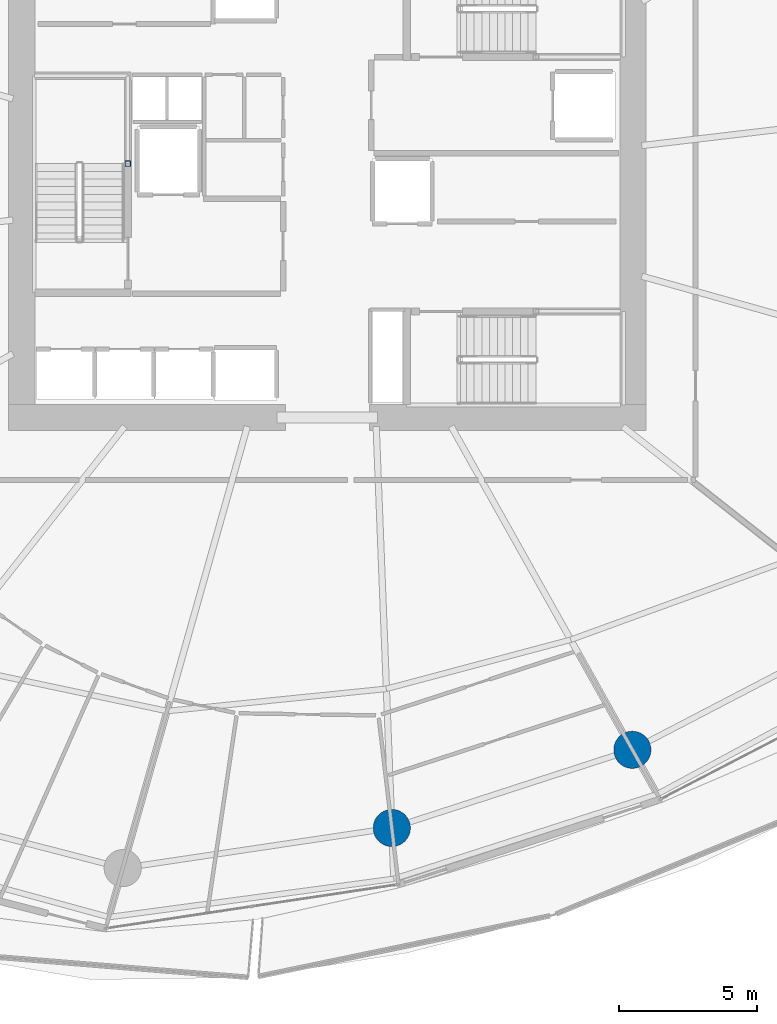
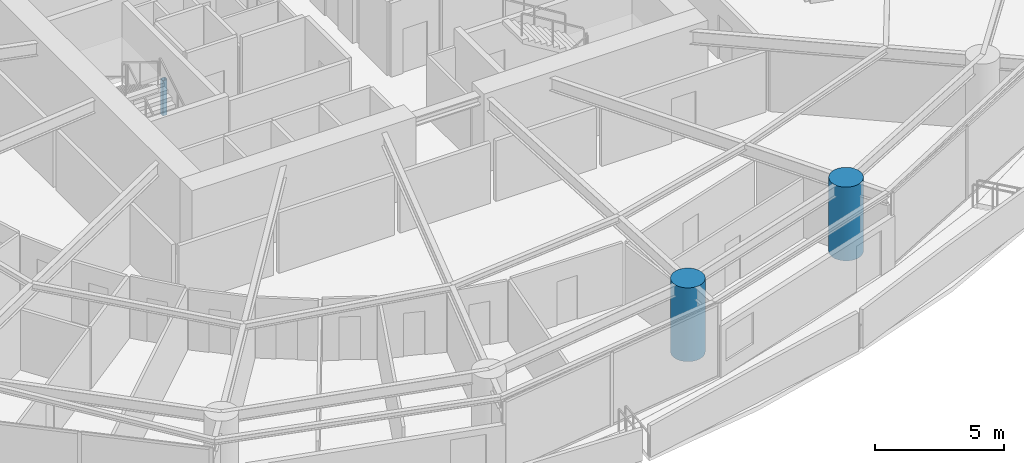
# One storey, part 2 of 31: 3 columns.
"""IFC4 building model written with IfcOpenShell, lengths in metres."""

from ifc_helpers import new_model, si_unit, direction, frame, origin, origin_2d, place, context, subcontext, project, spatial, hollow_rectangle, circle, extrude, material, material_profile, profile_set, type_object, element, save


model = new_model("IFC4")

# Units and contexts
model_context = context("Model", 3, precision=1e-05, world=origin(), true_north=direction((0.0, 1.0)))
body_context = subcontext(model_context, "Body", "Model", "MODEL_VIEW")
ifc_project = project(units=[si_unit("LENGTHUNIT", "METRE"), si_unit("AREAUNIT", "SQUARE_METRE"), si_unit("VOLUMEUNIT", "CUBIC_METRE"), si_unit("PLANEANGLEUNIT", "RADIAN"), si_unit("MASSUNIT", "GRAM", prefix="KILO")], contexts=[model_context])

# Site, building, storey
site_placement = place(None, origin())
site = spatial("IfcSite", under=ifc_project, at=site_placement, CompositionType="ELEMENT")
building_placement = place(site_placement, origin())
building = spatial("IfcBuilding", under=site, at=building_placement, Name="Kazma Halo Residences", CompositionType="ELEMENT")
storey_placement = place(building_placement, frame((0.0, 0.0, 41.39990234375)))
storey = spatial("IfcBuildingStorey", under=building, at=storey_placement, Name="L09", CompositionType="ELEMENT", Elevation=41.39990234375)

# Columns
ifc_material_1 = material(Name="Steel S355", Category="steel")
ifc_material_profile_1 = material_profile(ifc_material_1, hollow_rectangle(XDim=0.199951171875, YDim=0.199951171875, WallThickness=0.010009765625, InnerFilletRadius=0.010009765625, OuterFilletRadius=0.02001953125, at=origin_2d()), Name="SHS200x200x10")
ifc_profile_set_1 = profile_set([ifc_material_profile_1], Name="Steel S355")
column_type_1 = type_object("IfcColumnType", Name="COL-LP-SHS200", PredefinedType="COLUMN", material=ifc_profile_set_1)
column_placement = place(storey_placement, frame((41.179931640625, 42.75, 0.0), z_axis=(0.0, 0.0, 1.0), x_axis=(1.0, 0.0, 0.0)))
element("IfcColumn", 1, at=column_placement, inside=storey, type_object=column_type_1, Name="L09 ST-01 landing pilaster 1", PredefinedType="COLUMN", context=body_context, shape_type="SweptSolid", body=[
    extrude(hollow_rectangle(XDim=0.199951171875, YDim=0.199951171875, WallThickness=0.010009765625, InnerFilletRadius=0.010009765625, OuterFilletRadius=0.02001953125, at=origin_2d()), origin(), (0.0, 0.0, 1.0), 1.670166015625),
])
ifc_material_2 = material(Name="Concrete C80/95", Category="concrete")
ifc_material_profile_2 = material_profile(ifc_material_2, circle(Radius=0.675048828125, at=origin_2d()), Name="CIRC1350")
ifc_profile_set_2 = profile_set([ifc_material_profile_2], Name="Concrete C80/95")
column_type_2 = type_object("IfcColumnType", Name="COL-PERIM-1350", PredefinedType="COLUMN", material=ifc_profile_set_2)
for number, where, z_axis, x_axis, name in (
    (2, (50.768310546875, 18.610595703125, 0.0), (0.0, 0.0, 1.0), (1.0, 0.0, 0.0), "L09 perimeter ring column P12"),
    (3, (59.50830078125, 21.450439453125, 0.0), (0.0, 0.0, 1.0), (1.0, 0.0, 0.0), "L09 perimeter ring column P13"),
):
    element("IfcColumn", number, at=place(storey_placement, frame(where, z_axis=z_axis, x_axis=x_axis)), inside=storey, type_object=column_type_2, Name=name, PredefinedType="COLUMN", context=body_context, shape_type="SweptSolid", body=[
        extrude(circle(Radius=0.675048828125, at=origin_2d()), origin(), (0.0, 0.0, 1.0), 3.5),
    ])

save(model, "model.ifc")
